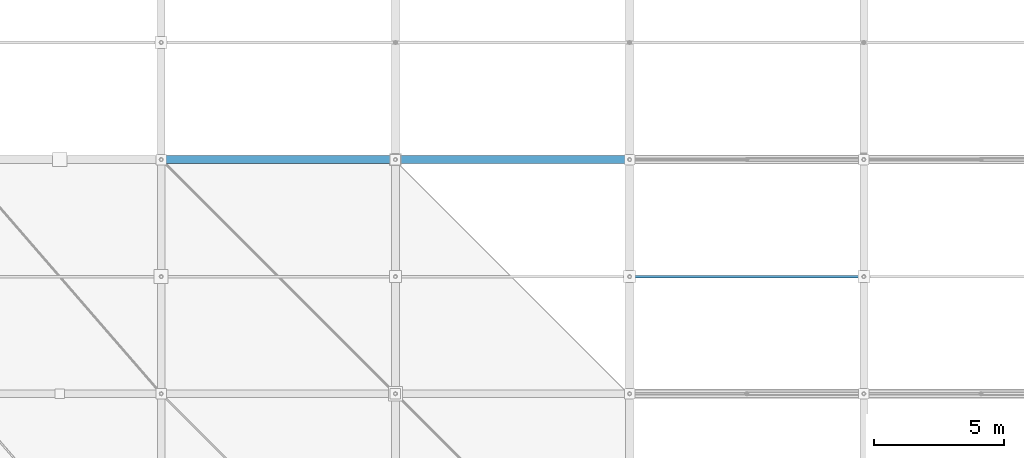
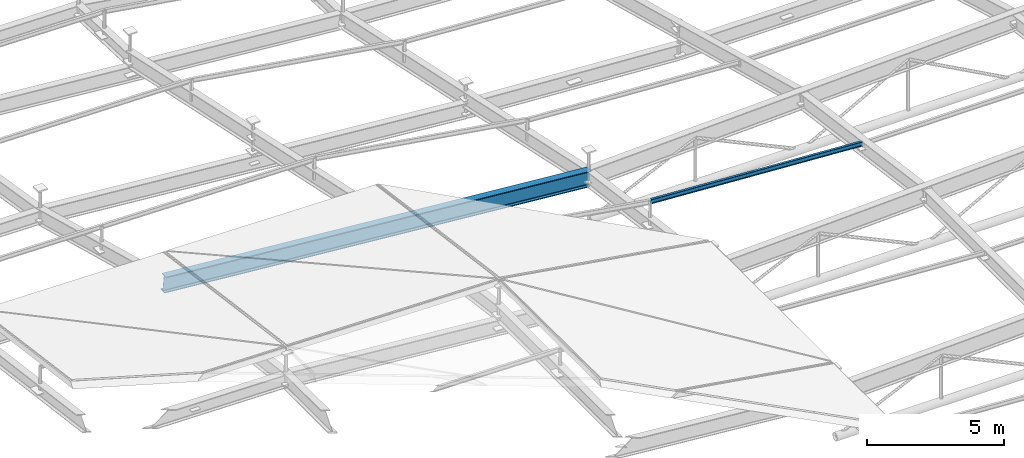
# One storey, part 29 of 80: 1 beam, 1 member.
"""IFC4 building model written with IfcOpenShell, lengths in metres."""

from ifc_helpers import new_model, si_unit, direction, frame, origin, origin_2d, place, context, subcontext, project, spatial, i_section, extrude, material, material_profile, profile_set, type_object, element, save


model = new_model("IFC4")

# Units and contexts
model_context = context("Model", 3, precision=1e-05, world=origin(), true_north=direction((0.0, 1.0)))
body_context = subcontext(model_context, "Body", "Model", "MODEL_VIEW")
ifc_project = project(units=[si_unit("LENGTHUNIT", "METRE"), si_unit("AREAUNIT", "SQUARE_METRE"), si_unit("VOLUMEUNIT", "CUBIC_METRE"), si_unit("PLANEANGLEUNIT", "RADIAN"), si_unit("MASSUNIT", "GRAM", prefix="KILO")], contexts=[model_context])

# Site, building, storey
site_placement = place(None, origin())
site = spatial("IfcSite", under=ifc_project, at=site_placement, CompositionType="ELEMENT")
building_placement = place(site_placement, origin())
building = spatial("IfcBuilding", under=site, at=building_placement, Name="Barlavento Convention Centre", CompositionType="ELEMENT")
storey_placement = place(building_placement, frame((0.0, 0.0, 29.800048828125)))
storey = spatial("IfcBuildingStorey", under=building, at=storey_placement, Name="RF", CompositionType="ELEMENT", Elevation=29.800048828125)

# Beam
ifc_material_1 = material(Name="Steel S460", Category="steel")
ifc_material_profile_1 = material_profile(ifc_material_1, i_section(OverallWidth=0.300048828125, OverallDepth=0.699951171875, WebThickness=0.01708984375, FlangeThickness=0.031982421875, FilletRadius=0.027099609375, at=origin_2d()), Name="HEB 700")
ifc_profile_set_1 = profile_set([ifc_material_profile_1], Name="Steel S460")
beam_type = type_object("IfcBeamType", Name="STR-BM-TRUSS-TOP-HEB700", PredefinedType="BEAM", material=ifc_profile_set_1)
beam_placement = place(storey_placement, frame((0.0048828125, 36.0, -0.89892578125), z_axis=(0.996341025885, 0.0, -0.085466719474), x_axis=(0.0, 1.0, 0.0)))
element("IfcBeam", 1, at=beam_placement, inside=storey, type_object=beam_type, Name="Congress roof truss space frame chord", PredefinedType="BEAM", context=body_context, shape_type="SweptSolid", body=[
    extrude(i_section(OverallWidth=0.300048828125, OverallDepth=0.699951171875, WebThickness=0.01708984375, FlangeThickness=0.031982421875, FilletRadius=0.027099609375, at=origin_2d()), origin(), (0.0, 0.0, 1.0), 18.056396484375),
])

# Member
ifc_material_2 = material(Name="Steel S355", Category="steel")
ifc_material_profile_2 = material_profile(ifc_material_2, i_section(OverallWidth=0.10009765625, OverallDepth=0.199951171875, WebThickness=0.005615234375, FlangeThickness=0.008544921875, FilletRadius=0.011962890625, at=origin_2d()), Name="IPE 200")
ifc_profile_set_2 = profile_set([ifc_material_profile_2], Name="Steel S355")
member_type = type_object("IfcMemberType", Name="STR-MEM-PUR-IPE200", PredefinedType="PURLIN", material=ifc_profile_set_2)
member_placement = place(storey_placement, frame((18.02001953125, 31.5, -0.8115234375), z_axis=(0.998173817937, 0.0, -0.060407194813), x_axis=(0.0, 1.0, 0.0)))
element("IfcMember", 2, at=member_placement, inside=storey, type_object=member_type, Name="Congress roof intermediate purlin PR01", PredefinedType="PURLIN", context=body_context, shape_type="SweptSolid", body=[
    extrude(i_section(OverallWidth=0.10009765625, OverallDepth=0.199951171875, WebThickness=0.005615234375, FlangeThickness=0.008544921875, FilletRadius=0.011962890625, at=origin_2d()), origin(), (0.0, 0.0, 1.0), 8.976318359375),
])

save(model, "model.ifc")
